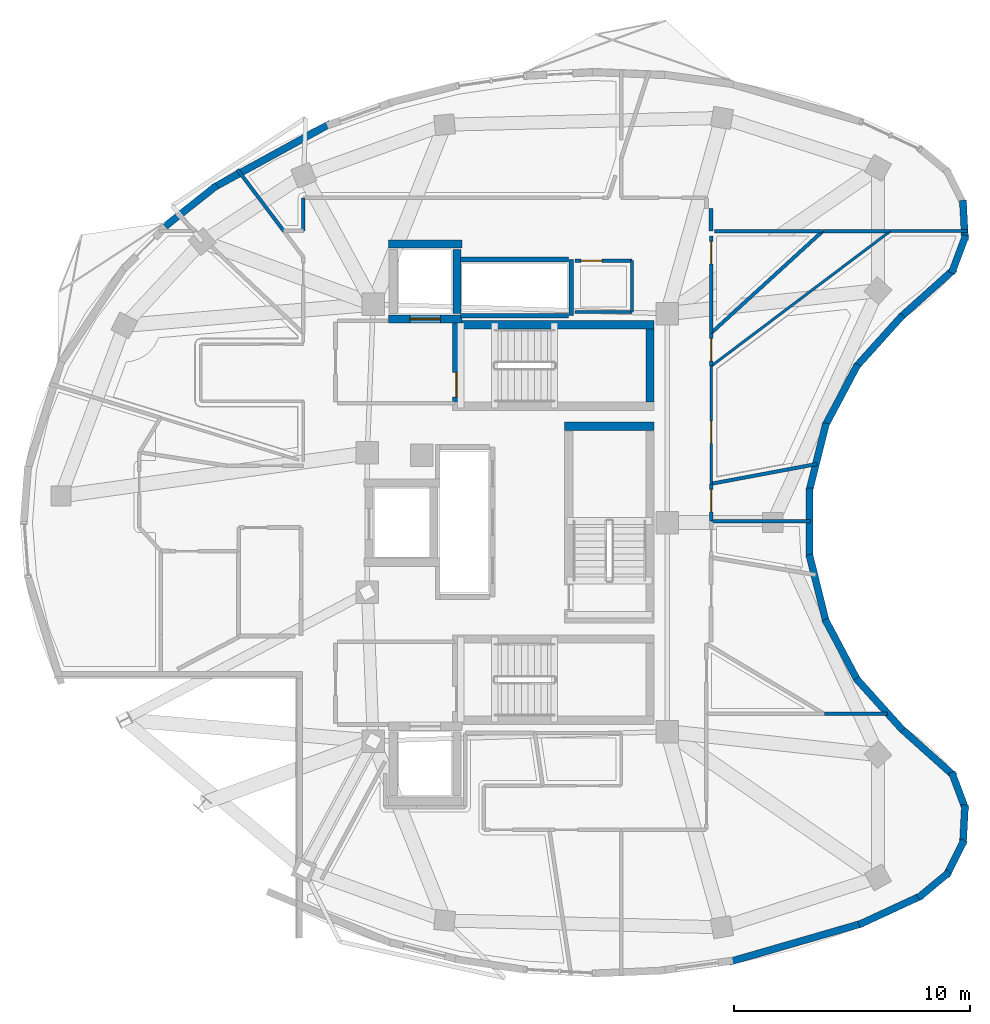
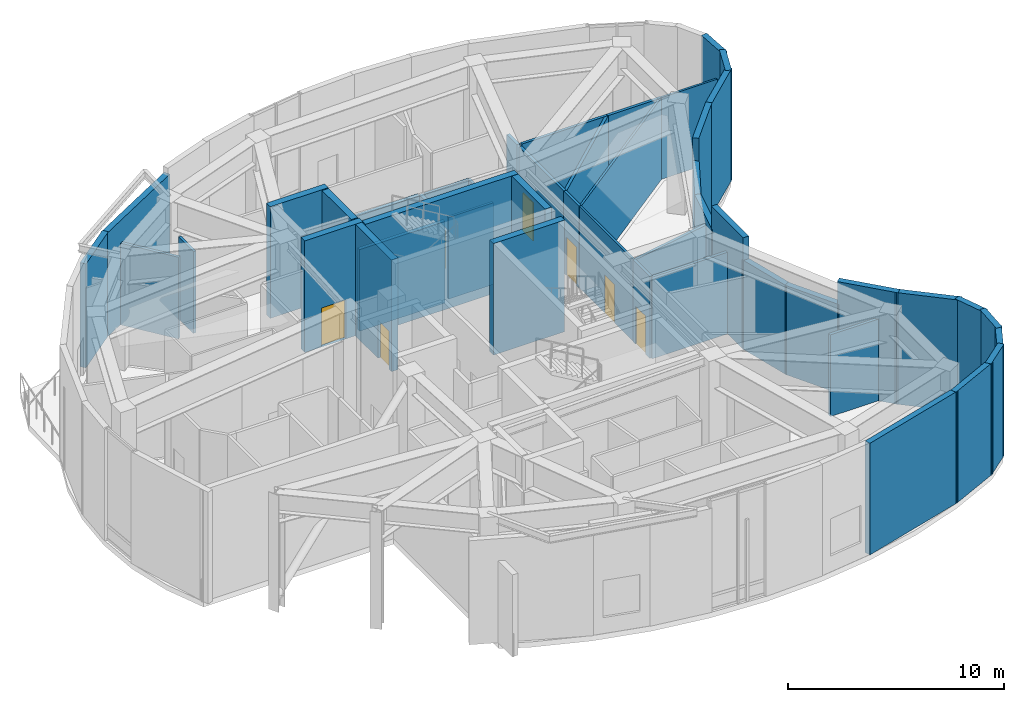
# One storey, part 8 of 12: 47 walls, 7 doors, 7 openings.
"""IFC4 building model written with IfcOpenShell, lengths in metres."""

import ifcopenshell
import ifcopenshell.guid

model = None  # the IFC model being written
_history = None  # IfcOwnerHistory: only IFC2X3 demands one
_inside = {}  # id of a spatial element -> (the spatial element, [elements in it])
_under = {}  # id of a project, library or spatial element -> (it, [spatial elements below it])
_declared = {}  # id of a project -> (the project, [libraries it declares])
_typed = {}  # id of a type object -> (the type object, [elements of that type])
_made_of = {}  # id of a material, layer set ... -> (it, [elements and type objects made of it])


def new_model(schema):
    """Start an empty IFC model of exactly this schema.

    Asked for "IFC4X3", IfcOpenShell would pick the latest addendum, in which some entities
    have other attributes; the version numbers below select the first issue.
    IFC2X3 requires an IfcOwnerHistory on every rooted entity: one is made here for all.
    """
    global model, _history
    if schema == "IFC4X3":
        model = ifcopenshell.file(schema_version=(4, 3, 0, 0))
    else:
        model = ifcopenshell.file(schema=schema)
    _inside.clear()
    _under.clear()
    _declared.clear()
    _typed.clear()
    _made_of.clear()
    _history = None
    if model.schema == "IFC2X3":
        org = make("IfcOrganization", Name="unknown")
        user = make(
            "IfcPersonAndOrganization",
            ThePerson=make("IfcPerson", FamilyName="unknown"),
            TheOrganization=org,
        )
        app = make(
            "IfcApplication",
            ApplicationDeveloper=org,
            Version="unknown",
            ApplicationFullName="unknown",
            ApplicationIdentifier="unknown",
        )
        _history = make(
            "IfcOwnerHistory",
            OwningUser=user,
            OwningApplication=app,
            ChangeAction="ADDED",
            CreationDate=0,
        )
    return model


def make(cls, **values):
    """One entity of the class cls with the attributes given. An attribute that is None is left unset."""
    return model.create_entity(
        cls, **{name: value for name, value in values.items() if value is not None}
    )


def rooted(cls, **values):
    """An entity with a GlobalId (a new one), such as an element, a storey or a relation."""
    return make(cls, GlobalId=ifcopenshell.guid.new(), OwnerHistory=_history, **values)


def si_unit(unit_type, name, prefix=None):
    """IfcSIUnit, for example si_unit("LENGTHUNIT", "METRE", prefix="MILLI")."""
    return make("IfcSIUnit", UnitType=unit_type, Prefix=prefix, Name=name)


def assignment(units):
    """IfcUnitAssignment: the units of a project."""
    return None if units is None else make("IfcUnitAssignment", Units=units)


def point(xyz):
    """IfcCartesianPoint."""
    return None if xyz is None else make("IfcCartesianPoint", Coordinates=xyz)


def direction(xyz):
    """IfcDirection."""
    return None if xyz is None else make("IfcDirection", DirectionRatios=xyz)


def frame(location, z_axis=None, x_axis=None):
    """IfcAxis2Placement3D, a coordinate frame: its origin and axes. An axis left out is left unset."""
    return make(
        "IfcAxis2Placement3D",
        Location=point(location),
        Axis=direction(z_axis),
        RefDirection=direction(x_axis),
    )


def frame_2d(location, x_axis=None):
    """IfcAxis2Placement2D, a coordinate frame in the plane: its origin and x axis."""
    return make(
        "IfcAxis2Placement2D", Location=point(location), RefDirection=direction(x_axis)
    )


def origin():
    """The frame at (0, 0, 0) with its axes left unset."""
    return frame((0.0, 0.0, 0.0))


def place(relative_to, where):
    """IfcLocalPlacement: puts the frame where relative to a parent placement (None: the world)."""
    return make(
        "IfcLocalPlacement", PlacementRelTo=relative_to, RelativePlacement=where
    )


def context(
    kind, dimensions, precision=None, world=None, true_north=None, identifier=None
):
    """IfcGeometricRepresentationContext, for example the 3D "Model" context."""
    return make(
        "IfcGeometricRepresentationContext",
        ContextIdentifier=identifier,
        ContextType=kind,
        CoordinateSpaceDimension=dimensions,
        Precision=precision,
        WorldCoordinateSystem=world,
        TrueNorth=true_north,
    )


def subcontext(parent, identifier, kind, view, scale=None):
    """IfcGeometricRepresentationSubContext, for example "Body" below "Model"."""
    return make(
        "IfcGeometricRepresentationSubContext",
        ContextIdentifier=identifier,
        ContextType=kind,
        ParentContext=parent,
        TargetScale=scale,
        TargetView=view,
    )


def project(units=None, contexts=None):
    """IfcProject with its units and contexts."""
    return rooted(
        "IfcProject",
        Name="project",
        RepresentationContexts=contexts,
        UnitsInContext=assignment(units),
    )


def spatial(cls, under=None, at=None, **own):
    """A site, building, storey or space (cls), placed at a placement, below another one or the project."""
    s = rooted(cls, ObjectPlacement=at, **own)
    if under is not None:
        _under.setdefault(under.id(), (under, []))[1].append(s)
    return s


def profile(cls, at=None, kind="AREA", **sizes):
    """A parametric profile (cls). Its sizes go by their IFC names, for example OverallWidth=200.0."""
    return make(cls, ProfileType=kind, Position=at, **sizes)


def rectangle(**sizes):
    """IfcRectangleProfileDef."""
    return profile("IfcRectangleProfileDef", **sizes)


def extrude(swept, where, along, depth):
    """IfcExtrudedAreaSolid: the profile swept, set in the frame where, extruded along a direction by depth."""
    return make(
        "IfcExtrudedAreaSolid",
        SweptArea=swept,
        Position=where,
        ExtrudedDirection=direction(along),
        Depth=depth,
    )


def shape(context_of_items, identifier, shape_type, items):
    """IfcShapeRepresentation: the items that make up one representation, for example the "Body"."""
    return make(
        "IfcShapeRepresentation",
        ContextOfItems=context_of_items,
        RepresentationIdentifier=identifier,
        RepresentationType=shape_type,
        Items=items,
    )


def material(Name=None, Category=None):
    """IfcMaterial."""
    return make("IfcMaterial", Name=Name, Category=Category)


def layer(
    of_material, thickness, ventilated=None, Name=None, Category=None, Priority=None
):
    """IfcMaterialLayer: one layer of a wall or slab, of a material (None: an air gap)."""
    return make(
        "IfcMaterialLayer",
        Material=of_material,
        LayerThickness=thickness,
        IsVentilated=ventilated,
        Name=Name,
        Category=Category,
        Priority=Priority,
    )


def layer_set(layers, Name=None):
    """IfcMaterialLayerSet."""
    return make("IfcMaterialLayerSet", MaterialLayers=layers, LayerSetName=Name)


def made_of(thing, what):
    """Note that an element or type object is made of a material, layer set ...; save() writes the relation."""
    if what is not None:
        _made_of.setdefault(what.id(), (what, []))[1].append(thing)
    return thing


def type_object(cls, material=None, **own):
    """A type object (cls), such as IfcWallType, which elements share."""
    return made_of(rooted(cls, **own), material)


def element(
    cls,
    number,
    at=None,
    inside=None,
    cuts=None,
    type_object=None,
    material=None,
    context=None,
    identifier="Body",
    shape_type=None,
    held_by="IfcProductDefinitionShape",
    body=None,
    shapes=None,
    **own,
):
    """One element of the class cls, such as IfcWall. Its Tag is "e" and its number.

    at: its placement. inside: the storey or other place that contains it. cuts: it is an
    opening in that element (IfcRelVoidsElement). A single representation is given by context,
    identifier, shape_type and body (its items); several are given by shapes. held_by: the class
    of the entity that holds the representations. save() writes the other relations.
    """
    e = rooted(cls, Tag="e%d" % number, ObjectPlacement=at, **own)
    if body is not None:
        shapes = [shape(context, identifier, shape_type, body)]
    if shapes is not None:
        e.Representation = make(held_by, Representations=shapes)
    if inside is not None:
        _inside.setdefault(inside.id(), (inside, []))[1].append(e)
    if cuts is not None:
        rooted(
            "IfcRelVoidsElement", RelatingBuildingElement=cuts, RelatedOpeningElement=e
        )
    if type_object is not None:
        _typed.setdefault(type_object.id(), (type_object, []))[1].append(e)
    return made_of(e, material)


def fill(opening, filler):
    """IfcRelFillsElement: the door or window that sits in an opening."""
    return rooted(
        "IfcRelFillsElement",
        RelatingOpeningElement=opening,
        RelatedBuildingElement=filler,
    )


def aggregate(whole, parts):
    """IfcRelAggregates: a whole, such as a stair, and the parts it consists of."""
    return rooted("IfcRelAggregates", RelatingObject=whole, RelatedObjects=parts)


def save(model, path):
    """Write the relations noted so far, then the file.

    IfcRelAggregates (storeys below a building ...), IfcRelContainedInSpatialStructure (elements
    in a storey), IfcRelDefinesByType, IfcRelAssociatesMaterial and IfcRelDeclares: one each for
    every whole, place, type object, material and project.
    """
    for whole, parts in _under.values():
        aggregate(whole, parts)
    for where, things in _inside.values():
        rooted(
            "IfcRelContainedInSpatialStructure",
            RelatedElements=things,
            RelatingStructure=where,
        )
    for kind, things in _typed.values():
        rooted("IfcRelDefinesByType", RelatedObjects=things, RelatingType=kind)
    for what, things in _made_of.values():
        rooted("IfcRelAssociatesMaterial", RelatedObjects=things, RelatingMaterial=what)
    for by, libraries in _declared.values():
        rooted("IfcRelDeclares", RelatingContext=by, RelatedDefinitions=libraries)
    model.write(path)


model = new_model("IFC4")

# Units and contexts
model_context = context("Model", 3, precision=1e-05, world=origin(), true_north=direction((0.0, 1.0)))
body_context = subcontext(model_context, "Body", "Model", "MODEL_VIEW")
ifc_project = project(units=[si_unit("LENGTHUNIT", "METRE"), si_unit("AREAUNIT", "SQUARE_METRE"), si_unit("VOLUMEUNIT", "CUBIC_METRE"), si_unit("PLANEANGLEUNIT", "RADIAN"), si_unit("MASSUNIT", "GRAM", prefix="KILO")], contexts=[model_context])

# Site, building, storey
site_placement = place(None, origin())
site = spatial("IfcSite", under=ifc_project, at=site_placement, CompositionType="ELEMENT")
building_placement = place(site_placement, origin())
building = spatial("IfcBuilding", under=site, at=building_placement, Name="Korentha Bioscience Tower", CompositionType="ELEMENT")
storey_placement = place(building_placement, frame((0.0, 0.0, 291.0)))
storey = spatial("IfcBuildingStorey", under=building, at=storey_placement, Name="L67", CompositionType="ELEMENT", Elevation=291.0)

# Wall, opening, door
ifc_material_1 = material(Name="Double-Stud Acoustic Gypsum", Category="gypsum")
ifc_layer_1 = layer(ifc_material_1, 0.14990234375, Name="Double-Stud Acoustic Gypsum")
ifc_layer_set_1 = layer_set([ifc_layer_1], Name="Double-Stud Acoustic Gypsum (IW-L150)")
wall_type_1 = type_object("IfcWallType", Name="Acoustic Laboratory Partition Wall 150", PredefinedType="PARTITIONING", material=ifc_layer_set_1)
wall_1_placement = place(storey_placement, frame((39.409912109375, 27.05810546875, 0.0), z_axis=(0.0, 0.0, 1.0), x_axis=(0.0, 1.0, 0.0)))
wall_1 = element("IfcWall", 1, at=wall_1_placement, inside=storey, type_object=wall_type_1, Name="L67 High-Altitude Atmospheric Sensor Lab 10 Entrance Wall", PredefinedType="PARTITIONING", context=body_context, shape_type="SweptSolid", body=[
    extrude(rectangle(XDim=1.585693359375, YDim=0.14990234375, at=frame_2d((0.79296875, 0.0))), origin(), (0.0, 0.0, 1.0), 4.610107421875),
])
opening_1_placement = place(wall_1_placement, frame((0.395751953125, 0.0, 0.0)))
opening_1 = element("IfcOpeningElement", 2, at=opening_1_placement, cuts=wall_1, Name="Opening ID-10L", PredefinedType="OPENING", context=body_context, shape_type="SweptSolid", body=[
    extrude(rectangle(XDim=0.949951171875, YDim=2.14990234375, at=frame_2d((0.47509765625, 1.074951171875))), frame((0.0, 0.08984375, 0.0), z_axis=(0.0, -1.0, 0.0), x_axis=(1.0, 0.0, 0.0)), (0.0, 0.0, 1.0), 0.1796875),
])
ifc_material_2 = material(Name="Phenolic Laminate Timber Core", Category="wood")
door_type_1 = type_object("IfcDoorType", Name="Laboratory Single Leaf Door 950x2150 Left", OperationType="SINGLE_SWING_LEFT", PredefinedType="DOOR", material=ifc_material_2)
door_1_placement = place(opening_1_placement, origin())
door_1 = element("IfcDoor", 3, at=door_1_placement, inside=storey, type_object=door_type_1, Name="L67 High-Altitude Atmospheric Sensor Lab 10 Door", OperationType="SINGLE_SWING_LEFT", OverallHeight=2.14990234375, OverallWidth=0.949951171875, PredefinedType="DOOR", context=body_context, shape_type="SweptSolid", body=[
    extrude(rectangle(XDim=0.949951171875, YDim=2.14990234375, at=frame_2d((0.47509765625, 1.074951171875))), frame((0.0, 0.02490234375, 0.0), z_axis=(0.0, -1.0, 0.0), x_axis=(1.0, 0.0, 0.0)), (0.0, 0.0, 1.0), 0.050048828125),
])
fill(opening_1, door_1)

wall_2_placement = place(storey_placement, frame((39.409912109375, 33.63720703125, 0.0), z_axis=(0.0, 0.0, 1.0), x_axis=(0.0, 1.0, 0.0)))
wall_2 = element("IfcWall", 4, at=wall_2_placement, inside=storey, type_object=wall_type_1, Name="L67 Public Science Briefing Room 12 Entrance Wall", PredefinedType="PARTITIONING", context=body_context, shape_type="SweptSolid", body=[
    extrude(rectangle(XDim=1.390625, YDim=0.14990234375, at=frame_2d((0.6953125, 0.0))), origin(), (0.0, 0.0, 1.0), 4.610107421875),
])
opening_2_placement = place(wall_2_placement, frame((0.21044921875, 0.0, 0.0)))
opening_2 = element("IfcOpeningElement", 5, at=opening_2_placement, cuts=wall_2, Name="Opening ID-10L", PredefinedType="OPENING", context=body_context, shape_type="SweptSolid", body=[
    extrude(rectangle(XDim=0.949951171875, YDim=2.14990234375, at=frame_2d((0.47509765625, 1.074951171875))), frame((0.0, 0.08984375, 0.0), z_axis=(0.0, -1.0, 0.0), x_axis=(1.0, 0.0, 0.0)), (0.0, 0.0, 1.0), 0.1796875),
])
door_2_placement = place(opening_2_placement, origin())
door_2 = element("IfcDoor", 6, at=door_2_placement, inside=storey, type_object=door_type_1, Name="L67 Public Science Briefing Room 12 Door", OperationType="SINGLE_SWING_LEFT", OverallHeight=2.14990234375, OverallWidth=0.949951171875, PredefinedType="DOOR", context=body_context, shape_type="SweptSolid", body=[
    extrude(rectangle(XDim=0.949951171875, YDim=2.14990234375, at=frame_2d((0.47509765625, 1.074951171875))), frame((0.0, 0.02490234375, 0.0), z_axis=(0.0, -1.0, 0.0), x_axis=(1.0, 0.0, 0.0)), (0.0, 0.0, 1.0), 0.050048828125),
])
fill(opening_2, door_2)

wall_3_placement = place(storey_placement, frame((39.409912109375, 35.041259765625, 0.0), z_axis=(0.0, 0.0, 1.0), x_axis=(0.0, 1.0, 0.0)))
wall_3 = element("IfcWall", 7, at=wall_3_placement, inside=storey, type_object=wall_type_1, Name="L67 Panoramic Refreshment Lounge 13 Entrance Wall", PredefinedType="PARTITIONING", context=body_context, shape_type="SweptSolid", body=[
    extrude(rectangle(XDim=4.1044921875, YDim=0.14990234375, at=frame_2d((2.05224609375, 0.0))), origin(), (0.0, 0.0, 1.0), 4.610107421875),
])
opening_3_placement = place(wall_3_placement, frame((2.914306640625, 0.0, 0.0)))
opening_3 = element("IfcOpeningElement", 8, at=opening_3_placement, cuts=wall_3, Name="Opening ID-10R", PredefinedType="OPENING", context=body_context, shape_type="SweptSolid", body=[
    extrude(rectangle(XDim=0.949951171875, YDim=2.14990234375, at=frame_2d((0.47509765625, 1.074951171875))), frame((0.0, 0.08984375, 0.0), z_axis=(0.0, -1.0, 0.0), x_axis=(1.0, 0.0, 0.0)), (0.0, 0.0, 1.0), 0.1796875),
])
door_type_2 = type_object("IfcDoorType", Name="Laboratory Single Leaf Door 950x2150 Right", OperationType="SINGLE_SWING_RIGHT", PredefinedType="DOOR", material=ifc_material_2)
door_3_placement = place(opening_3_placement, origin())
door_3 = element("IfcDoor", 9, at=door_3_placement, inside=storey, type_object=door_type_2, Name="L67 Panoramic Refreshment Lounge 13 Door", OperationType="SINGLE_SWING_RIGHT", OverallHeight=2.14990234375, OverallWidth=0.949951171875, PredefinedType="DOOR", context=body_context, shape_type="SweptSolid", body=[
    extrude(rectangle(XDim=0.949951171875, YDim=2.14990234375, at=frame_2d((0.47509765625, 1.074951171875))), frame((0.0, 0.02490234375, 0.0), z_axis=(0.0, -1.0, 0.0), x_axis=(1.0, 0.0, 0.0)), (0.0, 0.0, 1.0), 0.050048828125),
])
fill(opening_3, door_3)

# Walls
wall_4_placement = place(storey_placement, frame((44.210693359375, 18.89794921875, 0.0), z_axis=(0.0, 0.0, 1.0), x_axis=(1.0, 0.0, 0.0)))
element("IfcWall", 10, at=wall_4_placement, inside=storey, type_object=wall_type_1, Name="L67 Interior Partition 052", PredefinedType="PARTITIONING", context=body_context, shape_type="SweptSolid", body=[
    extrude(rectangle(XDim=2.676513671875, YDim=0.14990234375, at=frame_2d((1.33837890625, 0.0))), origin(), (0.0, 0.0, 1.0), 4.610107421875),
])
wall_5_placement = place(storey_placement, frame((39.409912109375, 27.048095703125, 0.0), z_axis=(0.0, 0.0, 1.0), x_axis=(1.0, 0.0, 0.0)))
element("IfcWall", 11, at=wall_5_placement, inside=storey, type_object=wall_type_1, Name="L67 Interior Partition 057", PredefinedType="PARTITIONING", context=body_context, shape_type="SweptSolid", body=[
    extrude(rectangle(XDim=4.209716796875, YDim=0.14990234375, at=frame_2d((2.10498046875, 0.0))), origin(), (0.0, 0.0, 1.0), 4.610107421875),
])
wall_6_placement = place(storey_placement, frame((39.409912109375, 28.643798828125, 0.0), z_axis=(0.0, 0.0, 1.0), x_axis=(0.982931018961, 0.183974487265, 0.0)))
element("IfcWall", 12, at=wall_6_placement, inside=storey, type_object=wall_type_1, Name="L67 Interior Partition 058", PredefinedType="PARTITIONING", context=body_context, shape_type="SweptSolid", body=[
    extrude(rectangle(XDim=4.552978515625, YDim=0.14990234375, at=frame_2d((2.2763671875, 0.0))), origin(), (0.0, 0.0, 1.0), 4.610107421875),
])
wall_7_placement = place(storey_placement, frame((44.141357421875, 39.347900390625, 0.0), z_axis=(0.0, 0.0, 1.0), x_axis=(1.0, 0.0, 0.0)))
element("IfcWall", 13, at=wall_7_placement, inside=storey, type_object=wall_type_1, Name="L67 Interior Partition 061", PredefinedType="PARTITIONING", context=body_context, shape_type="SweptSolid", body=[
    extrude(rectangle(XDim=2.84716796875, YDim=0.14990234375, at=frame_2d((1.423583984375, 0.0))), origin(), (0.0, 0.0, 1.0), 4.610107421875),
])
wall_8_placement = place(storey_placement, frame((39.409912109375, 35.02783203125, 0.0), z_axis=(0.0, 0.0, 1.0), x_axis=(0.73848136911, 0.674273881651, 0.0)))
element("IfcWall", 14, at=wall_8_placement, inside=storey, type_object=wall_type_1, Name="L67 Interior Partition 062", PredefinedType="PARTITIONING", context=body_context, shape_type="SweptSolid", body=[
    extrude(rectangle(XDim=6.406982421875, YDim=0.14990234375, at=frame_2d((3.20361328125, 0.0))), origin(), (0.0, 0.0, 1.0), 4.610107421875),
])
wall_9_placement = place(storey_placement, frame((39.556396484375, 39.347900390625, 0.0), z_axis=(0.0, 0.0, 1.0), x_axis=(1.0, 0.0, 0.0)))
element("IfcWall", 15, at=wall_9_placement, inside=storey, type_object=wall_type_1, Name="L67 Interior Partition 063", PredefinedType="PARTITIONING", context=body_context, shape_type="SweptSolid", body=[
    extrude(rectangle(XDim=4.570068359375, YDim=0.14990234375, at=frame_2d((2.28515625, 0.0))), origin(), (0.0, 0.0, 1.0), 4.610107421875),
])
wall_10_placement = place(storey_placement, frame((22.139892578125, 40.75, 0.0), z_axis=(0.0, 0.0, 1.0), x_axis=(0.0, -1.0, 0.0)))
element("IfcWall", 16, at=wall_10_placement, inside=storey, type_object=wall_type_1, Name="L67 Interior Partition 070", PredefinedType="PARTITIONING", context=body_context, shape_type="SweptSolid", body=[
    extrude(rectangle(XDim=1.39794921875, YDim=0.14990234375, at=frame_2d((0.698974609375, 0.0))), origin(), (0.0, 0.0, 1.0), 4.610107421875),
])
wall_11_placement = place(storey_placement, frame((21.31005859375, 39.35205078125, 0.0), z_axis=(0.0, 0.0, 1.0), x_axis=(-0.601810040337, 0.798639264843, 0.0)))
element("IfcWall", 17, at=wall_11_placement, inside=storey, type_object=wall_type_1, Name="L67 Interior Partition 072", PredefinedType="PARTITIONING", context=body_context, shape_type="SweptSolid", body=[
    extrude(rectangle(XDim=3.255859375, YDim=0.14990234375, at=frame_2d((1.6279296875, 0.0))), origin(), (0.0, 0.0, 1.0), 4.610107421875),
])

# Wall, opening, door
ifc_material_3 = material(Name="Fire-Rated Framed Glass", Category="glass")
ifc_layer_2 = layer(ifc_material_3, 0.110107421875, Name="Fire-Rated Framed Glass")
ifc_layer_set_2 = layer_set([ifc_layer_2], Name="Fire-Rated Framed Glass (IW-G110)")
wall_type_2 = type_object("IfcWallType", Name="Demountable Glazed Office Partition 110", PredefinedType="MOVABLE", material=ifc_layer_set_2)
wall_12_placement = place(storey_placement, frame((39.409912109375, 28.654052734375, 0.0), z_axis=(0.0, 0.0, 1.0), x_axis=(0.0, 1.0, 0.0)))
wall_12 = element("IfcWall", 18, at=wall_12_placement, inside=storey, type_object=wall_type_2, Name="L67 Climate Telemetry Control Studio 11 Entrance Wall", PredefinedType="MOVABLE", context=body_context, shape_type="SweptSolid", body=[
    extrude(rectangle(XDim=4.970458984375, YDim=0.110107421875, at=frame_2d((2.4853515625, 0.0))), origin(), (0.0, 0.0, 1.0), 4.610107421875),
])
opening_4_placement = place(wall_12_placement, frame((1.7041015625, 0.0, 0.0)))
opening_4 = element("IfcOpeningElement", 19, at=opening_4_placement, cuts=wall_12, Name="Opening ID-10R", PredefinedType="OPENING", context=body_context, shape_type="SweptSolid", body=[
    extrude(rectangle(XDim=0.949951171875, YDim=2.14990234375, at=frame_2d((0.47509765625, 1.074951171875))), frame((0.0, 0.06982421875, 0.0), z_axis=(0.0, -1.0, 0.0), x_axis=(1.0, 0.0, 0.0)), (0.0, 0.0, 1.0), 0.139892578125),
])
door_4_placement = place(opening_4_placement, origin())
door_4 = element("IfcDoor", 20, at=door_4_placement, inside=storey, type_object=door_type_2, Name="L67 Climate Telemetry Control Studio 11 Door", OperationType="SINGLE_SWING_RIGHT", OverallHeight=2.14990234375, OverallWidth=0.949951171875, PredefinedType="DOOR", context=body_context, shape_type="SweptSolid", body=[
    extrude(rectangle(XDim=0.949951171875, YDim=2.14990234375, at=frame_2d((0.47509765625, 1.074951171875))), frame((0.0, 0.02490234375, 0.0), z_axis=(0.0, -1.0, 0.0), x_axis=(1.0, 0.0, 0.0)), (0.0, 0.0, 1.0), 0.050048828125),
])
fill(opening_4, door_4)

# Walls
wall_13_placement = place(storey_placement, frame((39.409912109375, 33.62451171875, 0.0), z_axis=(0.0, 0.0, 1.0), x_axis=(0.798636330538, 0.601813934323, 0.0)))
element("IfcWall", 21, at=wall_13_placement, inside=storey, type_object=wall_type_2, Name="L67 Interior Partition 059", PredefinedType="MOVABLE", context=body_context, shape_type="SweptSolid", body=[
    extrude(rectangle(XDim=9.51025390625, YDim=0.110107421875, at=frame_2d((4.755126953125, 0.0))), origin(), (0.0, 0.0, 1.0), 4.610107421875),
])
wall_14_placement = place(storey_placement, frame((47.005126953125, 39.347900390625, 0.0), z_axis=(0.0, 0.0, 1.0), x_axis=(1.0, 0.0, 0.0)))
element("IfcWall", 22, at=wall_14_placement, inside=storey, type_object=wall_type_2, Name="L67 Interior Partition 060", PredefinedType="MOVABLE", context=body_context, shape_type="SweptSolid", body=[
    extrude(rectangle(XDim=3.2568359375, YDim=0.110107421875, at=frame_2d((1.62841796875, 0.0))), origin(), (0.0, 0.0, 1.0), 4.610107421875),
])
ifc_material_4 = material(Name="Gypsum-Clad Steel Stud", Category="steel")
ifc_layer_3 = layer(ifc_material_4, 0.159912109375, Name="Gypsum-Clad Steel Stud")
ifc_layer_set_3 = layer_set([ifc_layer_3], Name="Gypsum-Clad Steel Stud (IW-C160)")
wall_type_3 = type_object("IfcWallType", Name="Fire-Rated Corridor Partition Wall 160", PredefinedType="PARTITIONING", material=ifc_layer_set_3)
wall_15_placement = place(storey_placement, frame((39.409912109375, 39.35205078125, 0.0), z_axis=(0.0, 0.0, 1.0), x_axis=(0.0, 1.0, 0.0)))
element("IfcWall", 23, at=wall_15_placement, inside=storey, type_object=wall_type_3, Name="L67 Interior Partition 065", PredefinedType="PARTITIONING", context=body_context, shape_type="SweptSolid", body=[
    extrude(rectangle(XDim=0.947998046875, YDim=0.159912109375, at=frame_2d((0.47412109375, 0.0))), origin(), (0.0, 0.0, 1.0), 4.610107421875),
])
ifc_material_5 = material(Name="Honed Limestone Precast Concrete C40", Category="masonry")
ifc_layer_4 = layer(ifc_material_5, 0.300048828125, Name="Honed Limestone Precast Concrete C40")
ifc_layer_set_4 = layer_set([ifc_layer_4], Name="Honed Limestone Precast Concrete C40 (EW-ST300)")
wall_type_4 = type_object("IfcWallType", Name="Honed Limestone Cavity Spandrel Wall 300", PredefinedType="STANDARD", material=ifc_layer_set_4)
wall_16_placement = place(storey_placement, frame((23.285888671875, 43.898193359375, 0.0), z_axis=(0.0, 0.0, 1.0), x_axis=(-0.877062479499, -0.480376318166, 0.0)))
element("IfcWall", 24, at=wall_16_placement, inside=storey, type_object=wall_type_4, Name="L67 Limestone Perimeter Closure Wall 10", PredefinedType="STANDARD", context=body_context, shape_type="SweptSolid", body=[
    extrude(rectangle(XDim=5.653564453125, YDim=0.300048828125, at=frame_2d((2.82666015625, 0.0))), origin(), (0.0, 0.0, 1.0), 5.8701171875),
])
wall_17_placement = place(storey_placement, frame((18.47998046875, 41.283447265625, 0.0), z_axis=(0.0, 0.0, 1.0), x_axis=(-0.784028163495, -0.620725252303, 0.0)))
element("IfcWall", 25, at=wall_17_placement, inside=storey, type_object=wall_type_4, Name="L67 Limestone Perimeter Closure Wall 12", PredefinedType="STANDARD", context=body_context, shape_type="SweptSolid", body=[
    extrude(rectangle(XDim=2.80322265625, YDim=0.300048828125, at=frame_2d((1.401611328125, 0.0))), origin(), (0.0, 0.0, 1.0), 5.8701171875),
])
wall_18_placement = place(storey_placement, frame((40.175048828125, 8.396728515625, 0.0), z_axis=(0.0, 0.0, 1.0), x_axis=(0.960603242608, 0.277923389247, 0.0)))
element("IfcWall", 26, at=wall_18_placement, inside=storey, type_object=wall_type_4, Name="L67 Limestone Perimeter Closure Wall 34", PredefinedType="STANDARD", context=body_context, shape_type="SweptSolid", body=[
    extrude(rectangle(XDim=5.89794921875, YDim=0.300048828125, at=frame_2d((2.948974609375, 0.0))), origin(), (0.0, 0.0, 1.0), 6.300048828125),
])
wall_19_placement = place(storey_placement, frame((45.671142578125, 9.97265625, 0.0), z_axis=(0.0, 0.0, 1.0), x_axis=(0.907185947811, 0.420729908722, 0.0)))
element("IfcWall", 27, at=wall_19_placement, inside=storey, type_object=wall_type_4, Name="L67 Limestone Perimeter Closure Wall 36", PredefinedType="STANDARD", context=body_context, shape_type="SweptSolid", body=[
    extrude(rectangle(XDim=2.953125, YDim=0.300048828125, at=frame_2d((1.4765625, 0.0))), origin(), (0.0, 0.0, 1.0), 6.300048828125),
])
for number, where, z_axis, x_axis, name in (
    (28, (48.185302734375, 11.11083984375, 0.0), (0.0, 0.0, 1.0), (0.769148122421, 0.639070548356, 0.0), "L67 Limestone Perimeter Closure Wall 37"),
    (29, (49.363037109375, 12.032470703125, 0.0), (0.0, 0.0, 1.0), (0.44870292085, 0.893680977095, 0.0), "L67 Limestone Perimeter Closure Wall 38"),
):
    element("IfcWall", number, at=place(storey_placement, frame(where, z_axis=z_axis, x_axis=x_axis)), inside=storey, type_object=wall_type_4, Name=name, PredefinedType="STANDARD", context=body_context, shape_type="SweptSolid", body=[
        extrude(rectangle(XDim=1.7041015625, YDim=0.300048828125, at=frame_2d((0.85205078125, 0.0))), origin(), (0.0, 0.0, 1.0), 6.300048828125),
    ])
for number, where, z_axis, x_axis, name in (
    (30, (50.07275390625, 13.3486328125, 0.0), (0.0, 0.0, 1.0), (0.053145273218, 0.998586791388, 0.0), "L67 Limestone Perimeter Closure Wall 39"),
    (31, (50.19580078125, 14.839111328125, 0.0), (0.0, 0.0, 1.0), (-0.351374594418, 0.936234956834, 0.0), "L67 Limestone Perimeter Closure Wall 40"),
):
    element("IfcWall", number, at=place(storey_placement, frame(where, z_axis=z_axis, x_axis=x_axis)), inside=storey, type_object=wall_type_4, Name=name, PredefinedType="STANDARD", context=body_context, shape_type="SweptSolid", body=[
        extrude(rectangle(XDim=1.704345703125, YDim=0.300048828125, at=frame_2d((0.85205078125, 0.0))), origin(), (0.0, 0.0, 1.0), 6.300048828125),
    ])
wall_20_placement = place(storey_placement, frame((49.722412109375, 16.251220703125, 0.0), z_axis=(0.0, 0.0, 1.0), x_axis=(-0.744720921046, 0.667376018266, 0.0)))
element("IfcWall", 32, at=wall_20_placement, inside=storey, type_object=wall_type_4, Name="L67 Limestone Perimeter Closure Wall 41", PredefinedType="STANDARD", context=body_context, shape_type="SweptSolid", body=[
    extrude(rectangle(XDim=3.093505859375, YDim=0.300048828125, at=frame_2d((1.546875, 0.0))), origin(), (0.0, 0.0, 1.0), 6.300048828125),
])
wall_21_placement = place(storey_placement, frame((47.521240234375, 18.21337890625, 0.0), z_axis=(0.0, 0.0, 1.0), x_axis=(-0.669166006669, 0.743112949368, 0.0)))
element("IfcWall", 33, at=wall_21_placement, inside=storey, type_object=wall_type_4, Name="L67 Limestone Perimeter Closure Wall 43", PredefinedType="STANDARD", context=body_context, shape_type="SweptSolid", body=[
    extrude(rectangle(XDim=2.9482421875, YDim=0.300048828125, at=frame_2d((1.47412109375, 0.0))), origin(), (0.0, 0.0, 1.0), 6.300048828125),
])
wall_22_placement = place(storey_placement, frame((45.619873046875, 20.30224609375, 0.0), z_axis=(0.0, 0.0, 1.0), x_axis=(-0.469466013123, 0.882950543644, 0.0)))
element("IfcWall", 34, at=wall_22_placement, inside=storey, type_object=wall_type_4, Name="L67 Limestone Perimeter Closure Wall 45", PredefinedType="STANDARD", context=body_context, shape_type="SweptSolid", body=[
    extrude(rectangle(XDim=2.947998046875, YDim=0.300048828125, at=frame_2d((1.47412109375, 0.0))), origin(), (0.0, 0.0, 1.0), 5.02490234375),
])
wall_23_placement = place(storey_placement, frame((44.280517578125, 22.788818359375, 0.0), z_axis=(0.0, 0.0, 1.0), x_axis=(-0.24195108751, 0.970288447449, 0.0)))
element("IfcWall", 35, at=wall_23_placement, inside=storey, type_object=wall_type_4, Name="L67 Limestone Perimeter Closure Wall 47", PredefinedType="STANDARD", context=body_context, shape_type="SweptSolid", body=[
    extrude(rectangle(XDim=2.948486328125, YDim=0.300048828125, at=frame_2d((1.47412109375, 0.0))), origin(), (0.0, 0.0, 1.0), 5.02490234375),
])
wall_24_placement = place(storey_placement, frame((43.58251953125, 25.52587890625, 0.0), z_axis=(0.0, 0.0, 1.0), x_axis=(0.0, 1.0, 0.0)))
element("IfcWall", 36, at=wall_24_placement, inside=storey, type_object=wall_type_4, Name="L67 Limestone Perimeter Closure Wall 49", PredefinedType="STANDARD", context=body_context, shape_type="SweptSolid", body=[
    extrude(rectangle(XDim=2.9482421875, YDim=0.300048828125, at=frame_2d((1.47412109375, 0.0))), origin(), (0.0, 0.0, 1.0), 6.300048828125),
])
wall_25_placement = place(storey_placement, frame((43.567138671875, 28.350341796875, 0.0), z_axis=(0.0, 0.0, 1.0), x_axis=(0.24195108751, 0.970288447449, 0.0)))
element("IfcWall", 37, at=wall_25_placement, inside=storey, type_object=wall_type_4, Name="L67 Limestone Perimeter Closure Wall 51", PredefinedType="STANDARD", context=body_context, shape_type="SweptSolid", body=[
    extrude(rectangle(XDim=2.948486328125, YDim=0.300048828125, at=frame_2d((1.47412109375, 0.0))), origin(), (0.0, 0.0, 1.0), 5.02490234375),
])
wall_26_placement = place(storey_placement, frame((44.23583984375, 31.0947265625, 0.0), z_axis=(0.0, 0.0, 1.0), x_axis=(0.469466013123, 0.882950543644, 0.0)))
element("IfcWall", 38, at=wall_26_placement, inside=storey, type_object=wall_type_4, Name="L67 Limestone Perimeter Closure Wall 53", PredefinedType="STANDARD", context=body_context, shape_type="SweptSolid", body=[
    extrude(rectangle(XDim=2.947998046875, YDim=0.300048828125, at=frame_2d((1.47412109375, 0.0))), origin(), (0.0, 0.0, 1.0), 5.02490234375),
])
wall_27_placement = place(storey_placement, frame((45.54833984375, 33.595703125, 0.0), z_axis=(0.0, 0.0, 1.0), x_axis=(0.669166006669, 0.743112949368, 0.0)))
element("IfcWall", 39, at=wall_27_placement, inside=storey, type_object=wall_type_4, Name="L67 Limestone Perimeter Closure Wall 55", PredefinedType="STANDARD", context=body_context, shape_type="SweptSolid", body=[
    extrude(rectangle(XDim=2.9482421875, YDim=0.300048828125, at=frame_2d((1.47412109375, 0.0))), origin(), (0.0, 0.0, 1.0), 6.300048828125),
])
wall_28_placement = place(storey_placement, frame((47.418701171875, 35.684326171875, 0.0), z_axis=(0.0, 0.0, 1.0), x_axis=(0.744720921046, 0.667376018266, 0.0)))
element("IfcWall", 40, at=wall_28_placement, inside=storey, type_object=wall_type_4, Name="L67 Limestone Perimeter Closure Wall 57", PredefinedType="STANDARD", context=body_context, shape_type="SweptSolid", body=[
    extrude(rectangle(XDim=3.093505859375, YDim=0.300048828125, at=frame_2d((1.546875, 0.0))), origin(), (0.0, 0.0, 1.0), 6.300048828125),
])
for number, where, z_axis, x_axis, name in (
    (41, (49.596923828125, 37.565185546875, 0.0), (0.0, 0.0, 1.0), (0.351374594418, 0.936234956834, 0.0), "L67 Limestone Perimeter Closure Wall 59"),
    (42, (50.163330078125, 38.949462890625, 0.0), (0.0, 0.0, 1.0), (-0.053145273218, 0.998586791388, 0.0), "L67 Limestone Perimeter Closure Wall 60"),
):
    element("IfcWall", number, at=place(storey_placement, frame(where, z_axis=z_axis, x_axis=x_axis)), inside=storey, type_object=wall_type_4, Name=name, PredefinedType="STANDARD", context=body_context, shape_type="SweptSolid", body=[
        extrude(rectangle(XDim=1.704345703125, YDim=0.300048828125, at=frame_2d((0.85205078125, 0.0))), origin(), (0.0, 0.0, 1.0), 6.300048828125),
    ])
ifc_material_6 = material(Name="Autoclaved Aerated Concrete Block C25", Category="concrete")
ifc_layer_5 = layer(ifc_material_6, 0.199951171875, Name="Autoclaved Aerated Concrete Block C25")
ifc_layer_set_5 = layer_set([ifc_layer_5], Name="Autoclaved Aerated Concrete Block C25 (IW-S200)")
wall_type_5 = type_object("IfcWallType", Name="Lift and Riser Shaft Enclosure Wall 200", PredefinedType="PARTITIONING", material=ifc_layer_set_5)
wall_29_placement = place(storey_placement, frame((33.489990234375, 35.760009765625, 0.0), z_axis=(0.0, 0.0, 1.0), x_axis=(0.0, 1.0, 0.0)))
element("IfcWall", 43, at=wall_29_placement, inside=storey, type_object=wall_type_5, Name="L67 Lift Bank OBS Shaft Wall +X", PredefinedType="PARTITIONING", context=body_context, shape_type="SweptSolid", body=[
    extrude(rectangle(XDim=2.3798828125, YDim=0.199951171875, at=frame_2d((1.18994140625, 0.0))), origin(), (0.0, 0.0, 1.0), 4.610107421875),
])
for number, where, z_axis, x_axis, name in (
    (44, (28.800048828125, 35.760009765625, 0.0), (0.0, 0.0, 1.0), (1.0, 0.0, 0.0), "L67 Lift Bank OBS Shaft Wall -Y"),
    (45, (28.800048828125, 38.139892578125, 0.0), (0.0, 0.0, 1.0), (1.0, 0.0, 0.0), "L67 Lift Bank OBS Shaft Wall +Y"),
):
    element("IfcWall", number, at=place(storey_placement, frame(where, z_axis=z_axis, x_axis=x_axis)), inside=storey, type_object=wall_type_5, Name=name, PredefinedType="PARTITIONING", context=body_context, shape_type="SweptSolid", body=[
        extrude(rectangle(XDim=4.570068359375, YDim=0.199951171875, at=frame_2d((2.28515625, 0.0))), origin(), (0.0, 0.0, 1.0), 4.610107421875),
    ])
ifc_material_7 = material(Name="Concrete C50", Category="concrete")
ifc_layer_6 = layer(ifc_material_7, 0.35009765625, Name="Concrete C50")
ifc_layer_set_6 = layer_set([ifc_layer_6], Name="Concrete C50 (CW-C50)")
wall_type_6 = type_object("IfcWallType", Name="Upper Core Shear Wall 350", PredefinedType="SHEAR", material=ifc_layer_set_6)
wall_30_placement = place(storey_placement, frame((28.85205078125, 35.375, 0.0), z_axis=(0.0, 0.0, 1.0), x_axis=(1.0, 0.0, 0.0)))
element("IfcWall", 46, at=wall_30_placement, inside=storey, type_object=wall_type_6, Name="L67 Core Shear Wall ST1-N", PredefinedType="SHEAR", context=body_context, shape_type="SweptSolid", body=[
    extrude(rectangle(XDim=8.14794921875, YDim=0.35009765625, at=frame_2d((4.073974609375, 0.0))), origin(), (0.0, 0.0, 1.0), 6.300048828125),
])
wall_31_placement = place(storey_placement, frame((36.824951171875, 32.110107421875, 0.0), z_axis=(0.0, 0.0, 1.0), x_axis=(0.0, 1.0, 0.0)))
element("IfcWall", 47, at=wall_31_placement, inside=storey, type_object=wall_type_6, Name="L67 Core Shear Wall ST1-E", PredefinedType="SHEAR", context=body_context, shape_type="SweptSolid", body=[
    extrude(rectangle(XDim=3.079833984375, YDim=0.35009765625, at=frame_2d((1.5400390625, 0.0))), origin(), (0.0, 0.0, 1.0), 6.300048828125),
])

# Wall, opening, door
wall_32_placement = place(storey_placement, frame((28.625, 32.110107421875, 0.0), z_axis=(0.0, 0.0, 1.0), x_axis=(0.0, 1.0, 0.0)))
wall_32 = element("IfcWall", 48, at=wall_32_placement, inside=storey, type_object=wall_type_6, Name="L67 Core Shear Wall ST1-W", PredefinedType="SHEAR", context=body_context, shape_type="SweptSolid", body=[
    extrude(rectangle(XDim=3.3330078125, YDim=0.35009765625, at=frame_2d((1.66650390625, 0.0))), origin(), (0.0, 0.0, 1.0), 6.300048828125),
])
opening_5_placement = place(wall_32_placement, frame((0.199951171875, 0.0, 0.0)))
opening_5 = element("IfcOpeningElement", 49, at=opening_5_placement, cuts=wall_32, Name="Opening FD-90R", PredefinedType="OPENING", context=body_context, shape_type="SweptSolid", body=[
    extrude(rectangle(XDim=1.050048828125, YDim=2.14990234375, at=frame_2d((0.52490234375, 1.074951171875))), frame((0.0, 0.18994140625, 0.0), z_axis=(0.0, -1.0, 0.0), x_axis=(1.0, 0.0, 0.0)), (0.0, 0.0, 1.0), 0.3798828125),
])
ifc_material_8 = material(Name="Powder-Coated Fire-Rated Steel", Category="steel")
door_type_3 = type_object("IfcDoorType", Name="Stairwell Fire Exit Door 1050x2150 Right", OperationType="SINGLE_SWING_RIGHT", PredefinedType="DOOR", material=ifc_material_8)
door_5_placement = place(opening_5_placement, origin())
door_5 = element("IfcDoor", 50, at=door_5_placement, inside=storey, type_object=door_type_3, Name="L67 ST-1 Fire Exit Stair Door", OperationType="SINGLE_SWING_RIGHT", OverallHeight=2.14990234375, OverallWidth=1.050048828125, PredefinedType="DOOR", context=body_context, shape_type="SweptSolid", body=[
    extrude(rectangle(XDim=1.050048828125, YDim=2.14990234375, at=frame_2d((0.52490234375, 1.074951171875))), frame((0.0, 0.02490234375, 0.0), z_axis=(0.0, -1.0, 0.0), x_axis=(1.0, 0.0, 0.0)), (0.0, 0.0, 1.0), 0.050048828125),
])
fill(opening_5, door_5)

# Walls
wall_33_placement = place(storey_placement, frame((33.199951171875, 31.074951171875, 0.0), z_axis=(0.0, 0.0, 1.0), x_axis=(1.0, 0.0, 0.0)))
element("IfcWall", 51, at=wall_33_placement, inside=storey, type_object=wall_type_6, Name="L67 Core Shear Wall ST3-N", PredefinedType="SHEAR", context=body_context, shape_type="SweptSolid", body=[
    extrude(rectangle(XDim=3.800048828125, YDim=0.35009765625, at=frame_2d((1.89990234375, 0.0))), origin(), (0.0, 0.0, 1.0), 6.300048828125),
])
wall_34_placement = place(storey_placement, frame((25.75, 38.800048828125, 0.0), z_axis=(0.0, 0.0, 1.0), x_axis=(1.0, 0.0, 0.0)))
element("IfcWall", 52, at=wall_34_placement, inside=storey, type_object=wall_type_6, Name="L67 Core Shear Wall FFL2-N", PredefinedType="SHEAR", context=body_context, shape_type="SweptSolid", body=[
    extrude(rectangle(XDim=3.10009765625, YDim=0.35009765625, at=frame_2d((1.550048828125, 0.0))), origin(), (0.0, 0.0, 1.0), 6.300048828125),
])

# Wall, opening, door
wall_35_placement = place(storey_placement, frame((25.75, 35.6201171875, 0.0), z_axis=(0.0, 0.0, 1.0), x_axis=(1.0, 0.0, 0.0)))
wall_35 = element("IfcWall", 53, at=wall_35_placement, inside=storey, type_object=wall_type_6, Name="L67 Core Shear Wall FFL2-S", PredefinedType="SHEAR", context=body_context, shape_type="SweptSolid", body=[
    extrude(rectangle(XDim=3.10009765625, YDim=0.35009765625, at=frame_2d((1.550048828125, 0.0))), origin(), (0.0, 0.0, 1.0), 6.300048828125),
])
opening_6_placement = place(wall_35_placement, frame((0.89990234375, 0.0, 0.0)))
opening_6 = element("IfcOpeningElement", 54, at=opening_6_placement, cuts=wall_35, Name="Opening LD-13", PredefinedType="OPENING", context=body_context, shape_type="SweptSolid", body=[
    extrude(rectangle(XDim=1.300048828125, YDim=2.199951171875, at=frame_2d((0.64990234375, 1.10009765625))), frame((0.0, 0.18994140625, 0.0), z_axis=(0.0, -1.0, 0.0), x_axis=(1.0, 0.0, 0.0)), (0.0, 0.0, 1.0), 0.3798828125),
])
ifc_material_9 = material(Name="Brushed Stainless Steel 316", Category="steel")
door_type_4 = type_object("IfcDoorType", Name="Service & Firefighting Lift Landing Door 1300x2300", OperationType="DOUBLE_DOOR_SLIDING", PredefinedType="DOOR", material=ifc_material_9)
door_6_placement = place(opening_6_placement, origin())
door_6 = element("IfcDoor", 55, at=door_6_placement, inside=storey, type_object=door_type_4, Name="L67 FFL-2 Sliding Lift Landing Door", OperationType="DOUBLE_DOOR_SLIDING", OverallHeight=2.199951171875, OverallWidth=1.300048828125, PredefinedType="DOOR", context=body_context, shape_type="SweptSolid", body=[
    extrude(rectangle(XDim=1.300048828125, YDim=2.199951171875, at=frame_2d((0.64990234375, 1.10009765625))), frame((0.0, 0.02490234375, 0.0), z_axis=(0.0, -1.0, 0.0), x_axis=(1.0, 0.0, 0.0)), (0.0, 0.0, 1.0), 0.050048828125),
])
fill(opening_6, door_6)

# Wall
wall_36_placement = place(storey_placement, frame((28.64990234375, 35.860107421875, 0.0), z_axis=(0.0, 0.0, 1.0), x_axis=(0.0, 1.0, 0.0)))
element("IfcWall", 56, at=wall_36_placement, inside=storey, type_object=wall_type_6, Name="L67 Core Shear Wall FFL2-E", PredefinedType="SHEAR", context=body_context, shape_type="SweptSolid", body=[
    extrude(rectangle(XDim=2.699951171875, YDim=0.35009765625, at=frame_2d((1.35009765625, 0.0))), origin(), (0.0, 0.0, 1.0), 6.300048828125),
])

# Wall, opening, door
ifc_material_10 = material(Name="Cement-Board Steel Stud", Category="steel")
ifc_layer_7 = layer(ifc_material_10, 0.1298828125, Name="Cement-Board Steel Stud")
ifc_layer_set_7 = layer_set([ifc_layer_7], Name="Cement-Board Steel Stud (IW-W130)")
wall_type_7 = type_object("IfcWallType", Name="Wet-Area Moisture-Resistant Partition 130", PredefinedType="PARTITIONING", material=ifc_layer_set_7)
wall_37_placement = place(storey_placement, frame((33.64990234375, 38.090087890625, 0.0), z_axis=(0.0, 0.0, 1.0), x_axis=(1.0, 0.0, 0.0)))
wall_37 = element("IfcWall", 57, at=wall_37_placement, inside=storey, type_object=wall_type_7, Name="L67 Accessible Staff WC Entrance Wall", PredefinedType="PARTITIONING", context=body_context, shape_type="SweptSolid", body=[
    extrude(rectangle(XDim=2.400146484375, YDim=0.1298828125, at=frame_2d((1.2001953125, 0.0))), origin(), (0.0, 0.0, 1.0), 4.610107421875),
])
opening_7_placement = place(wall_37_placement, frame((0.239990234375, 0.0, 0.0)))
opening_7 = element("IfcOpeningElement", 58, at=opening_7_placement, cuts=wall_37, Name="Opening ID-09R", PredefinedType="OPENING", context=body_context, shape_type="SweptSolid", body=[
    extrude(rectangle(XDim=0.89990234375, YDim=2.14990234375, at=frame_2d((0.449951171875, 1.074951171875))), frame((0.0, 0.079833984375, 0.0), z_axis=(0.0, -1.0, 0.0), x_axis=(1.0, 0.0, 0.0)), (0.0, 0.0, 1.0), 0.15966796875),
])
ifc_material_11 = material(Name="Moisture-Resistant HPL Leaf", Category="wood")
door_type_5 = type_object("IfcDoorType", Name="Restroom & Accessible WC Door 900x2150 Right", OperationType="SINGLE_SWING_RIGHT", PredefinedType="DOOR", material=ifc_material_11)
door_7_placement = place(opening_7_placement, origin())
door_7 = element("IfcDoor", 59, at=door_7_placement, inside=storey, type_object=door_type_5, Name="L67 Accessible Staff WC Door", OperationType="SINGLE_SWING_RIGHT", OverallHeight=2.14990234375, OverallWidth=0.89990234375, PredefinedType="DOOR", context=body_context, shape_type="SweptSolid", body=[
    extrude(rectangle(XDim=0.89990234375, YDim=2.14990234375, at=frame_2d((0.449951171875, 1.074951171875))), frame((0.0, 0.02490234375, 0.0), z_axis=(0.0, -1.0, 0.0), x_axis=(1.0, 0.0, 0.0)), (0.0, 0.0, 1.0), 0.050048828125),
])
fill(opening_7, door_7)

# Walls
wall_38_placement = place(storey_placement, frame((36.050048828125, 35.909912109375, 0.0), z_axis=(0.0, 0.0, 1.0), x_axis=(-1.0, 0.0, 0.0)))
element("IfcWall", 60, at=wall_38_placement, inside=storey, type_object=wall_type_7, Name="L67 Interior Partition 021", PredefinedType="PARTITIONING", context=body_context, shape_type="SweptSolid", body=[
    extrude(rectangle(XDim=2.400146484375, YDim=0.1298828125, at=frame_2d((1.2001953125, 0.0))), origin(), (0.0, 0.0, 1.0), 4.610107421875),
])
wall_39_placement = place(storey_placement, frame((36.050048828125, 38.090087890625, 0.0), z_axis=(0.0, 0.0, 1.0), x_axis=(0.0, -1.0, 0.0)))
element("IfcWall", 61, at=wall_39_placement, inside=storey, type_object=wall_type_7, Name="L67 Interior Partition 022", PredefinedType="PARTITIONING", context=body_context, shape_type="SweptSolid", body=[
    extrude(rectangle(XDim=2.18017578125, YDim=0.1298828125, at=frame_2d((1.090087890625, 0.0))), origin(), (0.0, 0.0, 1.0), 4.610107421875),
])

save(model, "model.ifc")
